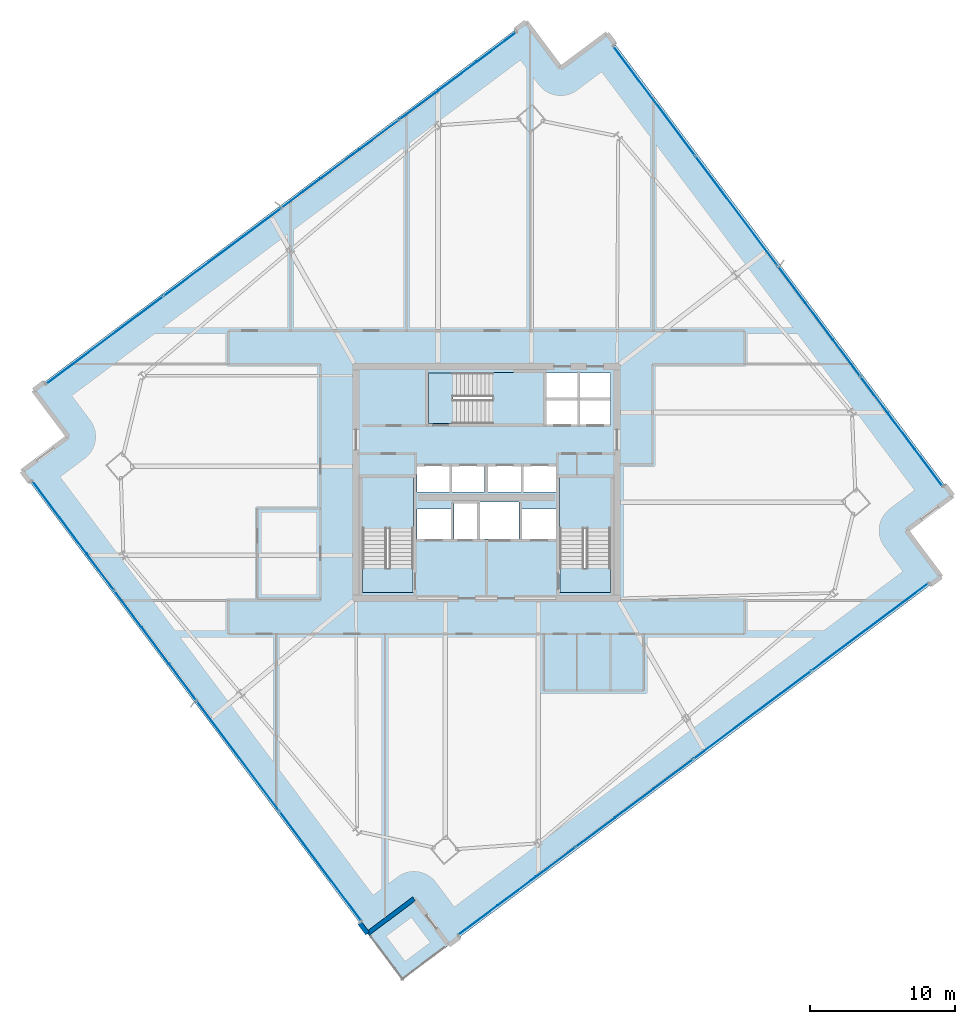
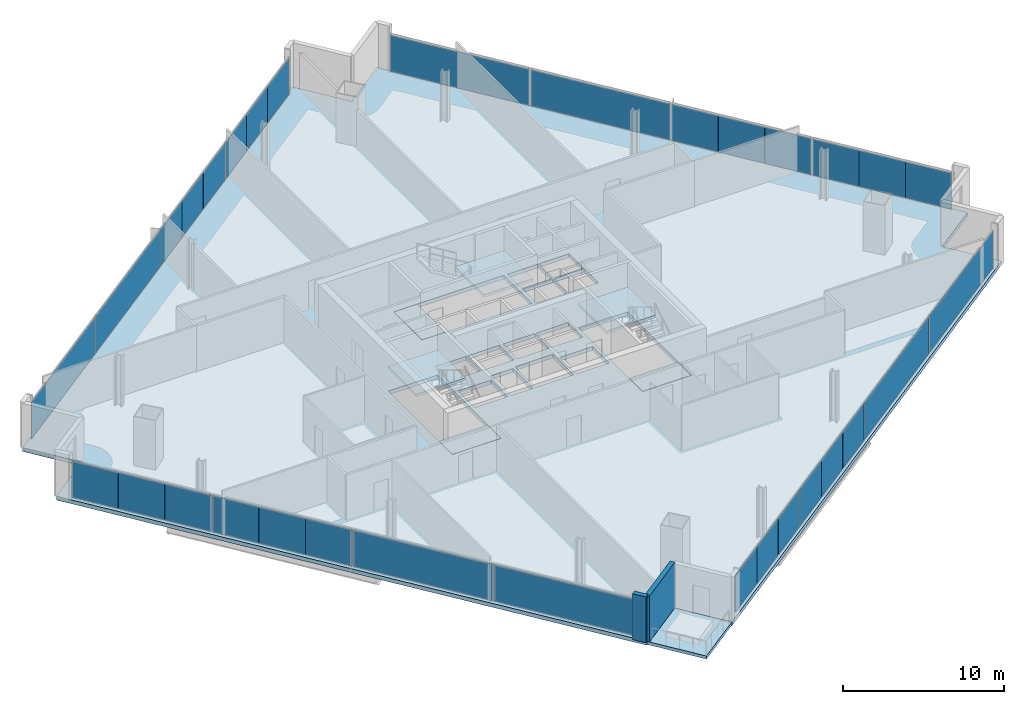
# One storey, part 23 of 32: 32 plates, 8 slabs, 2 walls, 7 elements without a shape of their own.
"""IFC4 building model written with IfcOpenShell, lengths in metres."""

from ifc_helpers import new_model, si_unit, direction, frame, frame_2d, origin, origin_2d, place, context, subcontext, project, spatial, polyline, rectangle, outline, extrude, source, transform, mapped, material, layer, layer_set, type_object, element, aggregate, save


model = new_model("IFC4")

# Units and contexts
model_context = context("Model", 3, precision=1e-05, world=origin(), true_north=direction((0.0, 1.0)))
body_context = subcontext(model_context, "Body", "Model", "MODEL_VIEW")
ifc_project = project(units=[si_unit("LENGTHUNIT", "METRE"), si_unit("AREAUNIT", "SQUARE_METRE"), si_unit("VOLUMEUNIT", "CUBIC_METRE"), si_unit("PLANEANGLEUNIT", "RADIAN"), si_unit("MASSUNIT", "GRAM", prefix="KILO")], contexts=[model_context])

# Site, building, storey
site_placement = place(None, origin())
site = spatial("IfcSite", under=ifc_project, at=site_placement, CompositionType="ELEMENT")
building_placement = place(site_placement, origin())
building = spatial("IfcBuilding", under=site, at=building_placement, Name="Haldenkirk Collegiate Tower", CompositionType="ELEMENT")
storey_placement = place(building_placement, frame((0.0, 0.0, 151.949951171875)))
storey = spatial("IfcBuildingStorey", under=building, at=storey_placement, Name="L37", CompositionType="ELEMENT", Elevation=151.949951171875)

# Slab
ifc_material_1 = material(Name="Concrete f'c 40 MPa", Category="concrete")
ifc_layer_1 = layer(ifc_material_1, 0.2900390625)
ifc_layer_set_1 = layer_set([ifc_layer_1], Name="Concrete f'c 40 MPa")
slab_type_1 = type_object("IfcSlabType", Name="SLB-FLR-290", PredefinedType="FLOOR", material=ifc_layer_set_1)
slab_1_placement = place(storey_placement, frame((0.0, 0.0, -0.2900390625)))
element("IfcSlab", 1, at=slab_1_placement, inside=storey, type_object=slab_type_1, Name="L37 composite structural floor slab", PredefinedType="FLOOR", context=body_context, shape_type="SweptSolid", body=[
    extrude(outline(polyline([(33.401123046875, -5.9169921875), (67.35205078125, 19.481689453125), (64.9560546875, 22.684814453125), (68.158935546875, 25.080810546875), (44.31787109375, 56.949951171875), (41.11474609375, 54.5537109375), (38.71875, 57.756591796875), (4.767578125, 32.358154296875), (7.163818359375, 29.1552734375), (3.9609375, 26.759033203125), (27.802001953125, -5.110107421875), (31.0048828125, -2.7138671875), (33.401123046875, -5.9169921875)]), holes=[polyline([(27.449951171875, 18.39990234375), (30.949951171875, 18.39990234375), (30.949951171875, 26.300048828125), (27.449951171875, 26.300048828125), (27.449951171875, 18.39990234375)]), polyline([(41.050048828125, 18.39990234375), (44.550048828125, 18.39990234375), (44.550048828125, 26.300048828125), (41.050048828125, 26.300048828125), (41.050048828125, 18.39990234375)]), polyline([(32.0, 30.050048828125), (39.89990234375, 30.050048828125), (39.89990234375, 33.550048828125), (32.0, 33.550048828125), (32.0, 30.050048828125)]), polyline([(33.75, 22.10009765625), (35.35009765625, 22.10009765625), (35.35009765625, 24.550048828125), (33.75, 24.550048828125), (33.75, 22.10009765625)]), polyline([(40.14990234375, 29.949951171875), (42.320068359375, 29.949951171875), (42.320068359375, 31.699951171875), (40.14990234375, 31.699951171875), (40.14990234375, 29.949951171875)]), polyline([(42.419921875, 29.949951171875), (44.550048828125, 29.949951171875), (44.550048828125, 31.699951171875), (42.419921875, 31.699951171875), (42.419921875, 29.949951171875)]), polyline([(40.14990234375, 31.800048828125), (42.320068359375, 31.800048828125), (42.320068359375, 33.550048828125), (40.14990234375, 33.550048828125), (40.14990234375, 31.800048828125)]), polyline([(42.419921875, 31.800048828125), (44.550048828125, 31.800048828125), (44.550048828125, 33.550048828125), (42.419921875, 33.550048828125), (42.419921875, 31.800048828125)]), polyline([(31.199951171875, 25.35009765625), (33.47998046875, 25.35009765625), (33.47998046875, 27.14990234375), (31.199951171875, 27.14990234375), (31.199951171875, 25.35009765625)]), polyline([(33.60009765625, 25.35009765625), (35.8798828125, 25.35009765625), (35.8798828125, 27.14990234375), (33.60009765625, 27.14990234375), (33.60009765625, 25.35009765625)]), polyline([(36.1201171875, 25.35009765625), (38.39990234375, 25.35009765625), (38.39990234375, 27.14990234375), (36.1201171875, 27.14990234375), (36.1201171875, 25.35009765625)]), polyline([(38.52001953125, 25.35009765625), (40.800048828125, 25.35009765625), (40.800048828125, 27.14990234375), (38.52001953125, 27.14990234375), (38.52001953125, 25.35009765625)]), polyline([(31.199951171875, 22.10009765625), (33.550048828125, 22.10009765625), (33.550048828125, 24.14990234375), (31.199951171875, 24.14990234375), (31.199951171875, 22.10009765625)]), polyline([(38.449951171875, 22.10009765625), (40.800048828125, 22.10009765625), (40.800048828125, 24.14990234375), (38.449951171875, 24.14990234375), (38.449951171875, 22.10009765625)]), polyline([(35.550048828125, 22.10009765625), (38.25, 22.10009765625), (38.25, 24.64990234375), (35.550048828125, 24.64990234375), (35.550048828125, 22.10009765625)])]), origin(), (0.0, 0.0, 1.0), 0.2900390625),
])

# Stair, slab
stair_type = type_object("IfcStairType", Name="STR-DOGLEG-1650", PredefinedType="HALF_TURN_STAIR", material=ifc_material_1)
stair_1_placement = place(storey_placement, origin())
stair_1 = element("IfcStair", 2, at=stair_1_placement, inside=storey, type_object=stair_type, Name="L37 Core Exit Stair ST-1", PredefinedType="HALF_TURN_STAIR")
ifc_layer_2 = layer(ifc_material_1, 0.199951171875)
ifc_layer_set_2 = layer_set([ifc_layer_2], Name="Concrete f'c 40 MPa")
slab_type_2 = type_object("IfcSlabType", Name="SLB-LANDING-200", PredefinedType="LANDING", material=ifc_layer_set_2)
slab_2_placement = place(storey_placement, frame((0.0, 0.0, 1.675048828125)))
slab_2 = element("IfcSlab", 3, at=slab_2_placement, type_object=slab_type_2, Name="ST-1 landing 1", PredefinedType="LANDING", context=body_context, shape_type="SweptSolid", body=[
    extrude(outline(polyline([(30.97509765625, 22.824951171875), (27.425048828125, 22.824951171875), (27.425048828125, 26.324951171875), (30.97509765625, 26.324951171875), (30.97509765625, 22.824951171875)])), origin(), (0.0, 0.0, 1.0), 0.199951171875),
])
aggregate(stair_1, [slab_2])

stair_2_placement = place(storey_placement, origin())
stair_2 = element("IfcStair", 4, at=stair_2_placement, inside=storey, type_object=stair_type, Name="L37 Core Exit Stair ST-2", PredefinedType="HALF_TURN_STAIR")
slab_3_placement = place(storey_placement, frame((0.0, 0.0, 1.675048828125)))
slab_3 = element("IfcSlab", 5, at=slab_3_placement, type_object=slab_type_2, Name="ST-2 landing 1", PredefinedType="LANDING", context=body_context, shape_type="SweptSolid", body=[
    extrude(outline(polyline([(44.574951171875, 22.824951171875), (41.02490234375, 22.824951171875), (41.02490234375, 26.324951171875), (44.574951171875, 26.324951171875), (44.574951171875, 22.824951171875)])), origin(), (0.0, 0.0, 1.0), 0.199951171875),
])
aggregate(stair_2, [slab_3])

stair_3_placement = place(storey_placement, origin())
stair_3 = element("IfcStair", 6, at=stair_3_placement, inside=storey, type_object=stair_type, Name="L37 Core Exit Stair ST-3", PredefinedType="HALF_TURN_STAIR")
slab_4_placement = place(storey_placement, frame((0.0, 0.0, 1.675048828125)))
slab_4 = element("IfcSlab", 7, at=slab_4_placement, type_object=slab_type_2, Name="ST-3 landing 1", PredefinedType="LANDING", context=body_context, shape_type="SweptSolid", body=[
    extrude(outline(polyline([(36.425048828125, 30.02490234375), (36.425048828125, 33.574951171875), (39.925048828125, 33.574951171875), (39.925048828125, 30.02490234375), (36.425048828125, 30.02490234375)])), origin(), (0.0, 0.0, 1.0), 0.199951171875),
])
aggregate(stair_3, [slab_4])

# Slabs
ifc_layer_3 = layer(ifc_material_1, 0.25)
ifc_layer_set_3 = layer_set([ifc_layer_3], Name="Concrete f'c 40 MPa")
slab_type_3 = type_object("IfcSlabType", Name="SLB-STAIRLAND-250", PredefinedType="LANDING", material=ifc_layer_set_3)
slab_5_placement = place(storey_placement, frame((0.0, 0.0, -0.25)))
element("IfcSlab", 8, at=slab_5_placement, inside=storey, type_object=slab_type_3, Name="L37 stair ST1 structural floor landing slab", PredefinedType="LANDING", context=body_context, shape_type="SweptSolid", body=[
    extrude(outline(polyline([(27.4599609375, 18.409912109375), (30.93994140625, 18.409912109375), (30.93994140625, 20.080078125), (27.4599609375, 20.080078125), (27.4599609375, 18.409912109375)])), origin(), (0.0, 0.0, 1.0), 0.25),
])
slab_6_placement = place(storey_placement, frame((0.0, 0.0, -0.25)))
element("IfcSlab", 9, at=slab_6_placement, inside=storey, type_object=slab_type_3, Name="L37 stair ST2 structural floor landing slab", PredefinedType="LANDING", context=body_context, shape_type="SweptSolid", body=[
    extrude(outline(polyline([(41.06005859375, 18.409912109375), (44.5400390625, 18.409912109375), (44.5400390625, 20.080078125), (41.06005859375, 20.080078125), (41.06005859375, 18.409912109375)])), origin(), (0.0, 0.0, 1.0), 0.25),
])
slab_7_placement = place(storey_placement, frame((0.0, 0.0, -0.25)))
element("IfcSlab", 10, at=slab_7_placement, inside=storey, type_object=slab_type_3, Name="L37 stair ST3 structural floor landing slab", PredefinedType="LANDING", context=body_context, shape_type="SweptSolid", body=[
    extrude(outline(polyline([(32.010009765625, 30.06005859375), (33.679931640625, 30.06005859375), (33.679931640625, 33.5400390625), (32.010009765625, 33.5400390625), (32.010009765625, 30.06005859375)])), origin(), (0.0, 0.0, 1.0), 0.25),
])
ifc_layer_4 = layer(ifc_material_1, 0.22998046875)
ifc_layer_set_4 = layer_set([ifc_layer_4], Name="Concrete f'c 40 MPa")
slab_type_4 = type_object("IfcSlabType", Name="SLB-TERR-SPIRAL-230", PredefinedType="FLOOR", material=ifc_layer_set_4)
slab_8_placement = place(storey_placement, frame((0.0, 0.0, -0.22998046875)))
element("IfcSlab", 11, at=slab_8_placement, inside=storey, type_object=slab_type_4, Name="L37 spiralling corner terrace slab", PredefinedType="FLOOR", context=body_context, shape_type="SweptSolid", body=[
    extrude(outline(polyline([(30.197998046875, -8.31298828125), (33.401123046875, -5.9169921875), (31.0048828125, -2.7138671875), (27.802001953125, -5.110107421875), (30.197998046875, -8.31298828125)])), origin(), (0.0, 0.0, 1.0), 0.22998046875),
])

# Curtain wall, plates
ifc_material_2 = material(Name="Anodised architectural bronze aluminium", Category="aluminium")
curtain_wall_type_1 = type_object("IfcCurtainWallType", Name="CW-SYS2-CONCAVE", PredefinedType="USERDEFINED", material=ifc_material_2)
curtain_wall_1_placement = place(storey_placement, origin())
curtain_wall_1 = element("IfcCurtainWall", 12, at=curtain_wall_1_placement, inside=storey, type_object=curtain_wall_type_1, Name="L37 South concave recessed bronze-anodised curtain wall", ObjectType="UNITISED CURTAIN WALL", PredefinedType="USERDEFINED")
ifc_material_3 = material(Name="Low-E argon triple insulating glass", Category="glass")
ifc_layer_5 = layer(ifc_material_3, 0.0419921875)
ifc_layer_set_5 = layer_set([ifc_layer_5], Name="Low-E argon triple insulating glass")
plate_type_1 = type_object("IfcPlateType", Name="CW-PNL-02", PredefinedType="CURTAIN_PANEL", material=ifc_layer_set_5)
shared_shape_1 = source(origin(), body_context, "Body", "SweptSolid", [
    extrude(rectangle(XDim=10.03759765625, YDim=0.0419921875, at=origin_2d()), origin(), (0.0, 0.0, 1.0), 2.760986328125),
])
plate_1_placement = place(storey_placement, frame((62.44482421875, 16.035400390625, 0.0751953125), z_axis=(0.0, 0.0, 1.0), x_axis=(-0.800730048136, -0.599025366751, 0.0)))
plate_1 = element("IfcPlate", 13, at=plate_1_placement, type_object=plate_type_1, Name="CW-02 panel 1.1", PredefinedType="CURTAIN_PANEL", context=body_context, shape_type="MappedRepresentation", body=[
    mapped(shared_shape_1, transform((0.0, 0.0, 0.0), x_axis=(1.0, 0.0, 0.0), y_axis=(0.0, 1.0, 0.0), z_axis=(0.0, 0.0, 1.0), scale=1.0)),
])
shared_shape_2 = source(origin(), body_context, "Body", "SweptSolid", [
    extrude(rectangle(XDim=10.074951171875, YDim=0.0419921875, at=origin_2d()), origin(), (0.0, 0.0, 1.0), 2.760986328125),
])
plate_2_placement = place(storey_placement, frame((54.33251953125, 9.966552734375, 0.0751953125), z_axis=(0.0, 0.0, 1.0), x_axis=(-0.800730048136, -0.599025366751, 0.0)))
plate_2 = element("IfcPlate", 14, at=plate_2_placement, type_object=plate_type_1, Name="CW-02 panel 2.1", PredefinedType="CURTAIN_PANEL", context=body_context, shape_type="MappedRepresentation", body=[
    mapped(shared_shape_2, transform((0.0, 0.0, 0.0), x_axis=(1.0, 0.0, 0.0), y_axis=(0.0, 1.0, 0.0), z_axis=(0.0, 0.0, 1.0), scale=1.0)),
])
ifc_material_4 = material(Name="Bronze-anodised insulated aluminium spandrel panel", Category="aluminium")
ifc_layer_6 = layer(ifc_material_4, 0.0419921875)
ifc_layer_set_6 = layer_set([ifc_layer_6], Name="Bronze-anodised insulated aluminium spandrel panel")
plate_type_2 = type_object("IfcPlateType", Name="CW-SPD-02", PredefinedType="CURTAIN_PANEL", material=ifc_layer_set_6)
shared_shape_3 = source(origin(), body_context, "Body", "SweptSolid", [
    extrude(rectangle(XDim=3.345703125, YDim=0.0419921875, at=origin_2d()), origin(), (0.0, 0.0, 1.0), 2.760986328125),
])
plate_3_placement = place(storey_placement, frame((48.899169921875, 5.90185546875, 0.0751953125), z_axis=(0.0, 0.0, 1.0), x_axis=(-0.800730048136, -0.599025366751, 0.0)))
plate_3 = element("IfcPlate", 15, at=plate_3_placement, type_object=plate_type_2, Name="CW-02 spandrel panel 3.1a", PredefinedType="CURTAIN_PANEL", context=body_context, shape_type="MappedRepresentation", body=[
    mapped(shared_shape_3, transform((0.0, 0.0, 0.0), x_axis=(1.0, 0.0, 0.0), y_axis=(0.0, 1.0, 0.0), z_axis=(0.0, 0.0, 1.0), scale=1.0)),
])
plate_4_placement = place(storey_placement, frame((43.510986328125, 1.87109375, 0.0751953125), z_axis=(0.0, 0.0, 1.0), x_axis=(-0.800730048136, -0.599025366751, 0.0)))
plate_4 = element("IfcPlate", 16, at=plate_4_placement, type_object=plate_type_2, Name="CW-02 spandrel panel 3.1c", PredefinedType="CURTAIN_PANEL", context=body_context, shape_type="MappedRepresentation", body=[
    mapped(shared_shape_3, transform((0.0, 0.0, 0.0), x_axis=(1.0, 0.0, 0.0), y_axis=(0.0, 1.0, 0.0), z_axis=(0.0, 0.0, 1.0), scale=1.0)),
])
shared_shape_4 = source(origin(), body_context, "Body", "SweptSolid", [
    extrude(rectangle(XDim=3.333251953125, YDim=0.0419921875, at=origin_2d()), origin(), (0.0, 0.0, 1.0), 2.760986328125),
])
plate_5_placement = place(storey_placement, frame((46.205078125, 3.886474609375, 0.0751953125), z_axis=(0.0, 0.0, 1.0), x_axis=(-0.800730048136, -0.599025366751, 0.0)))
plate_5 = element("IfcPlate", 17, at=plate_5_placement, type_object=plate_type_2, Name="CW-02 spandrel panel 3.1b", PredefinedType="CURTAIN_PANEL", context=body_context, shape_type="MappedRepresentation", body=[
    mapped(shared_shape_4, transform((0.0, 0.0, 0.0), x_axis=(1.0, 0.0, 0.0), y_axis=(0.0, 1.0, 0.0), z_axis=(0.0, 0.0, 1.0), scale=1.0)),
])
plate_6_placement = place(storey_placement, frame((40.77685546875, -0.17431640625, 0.0751953125), z_axis=(0.0, 0.0, 1.0), x_axis=(-0.800730048136, -0.599025366751, 0.0)))
plate_6 = element("IfcPlate", 18, at=plate_6_placement, type_object=plate_type_2, Name="CW-02 spandrel panel 4.1a", PredefinedType="CURTAIN_PANEL", context=body_context, shape_type="MappedRepresentation", body=[
    mapped(shared_shape_4, transform((0.0, 0.0, 0.0), x_axis=(1.0, 0.0, 0.0), y_axis=(0.0, 1.0, 0.0), z_axis=(0.0, 0.0, 1.0), scale=1.0)),
])
plate_7_placement = place(storey_placement, frame((35.40869140625, -4.1904296875, 0.0751953125), z_axis=(0.0, 0.0, 1.0), x_axis=(-0.800730048136, -0.599025366751, 0.0)))
plate_7 = element("IfcPlate", 19, at=plate_7_placement, type_object=plate_type_1, Name="CW-02 panel 4.1c", PredefinedType="CURTAIN_PANEL", context=body_context, shape_type="MappedRepresentation", body=[
    mapped(shared_shape_4, transform((0.0, 0.0, 0.0), x_axis=(1.0, 0.0, 0.0), y_axis=(0.0, 1.0, 0.0), z_axis=(0.0, 0.0, 1.0), scale=1.0)),
])

# Curtain wall, plate
curtain_wall_type_2 = type_object("IfcCurtainWallType", Name="CW-SYS1-CONVEX-LOW", PredefinedType="USERDEFINED", material=ifc_material_2)
curtain_wall_2_placement = place(storey_placement, origin())
curtain_wall_2 = element("IfcCurtainWall", 20, at=curtain_wall_2_placement, inside=storey, type_object=curtain_wall_type_2, Name="L37 Lower tower convex bronze-framed unitised curtain wall", ObjectType="UNITISED CURTAIN WALL", PredefinedType="USERDEFINED")
ifc_layer_7 = layer(ifc_material_3, 0.0439453125)
ifc_layer_set_7 = layer_set([ifc_layer_7], Name="Low-E argon triple insulating glass")
plate_type_3 = type_object("IfcPlateType", Name="CW-PNL-1A", PredefinedType="CURTAIN_PANEL", material=ifc_layer_set_7)
shared_shape_5 = source(origin(), body_context, "Body", "SweptSolid", [
    extrude(rectangle(XDim=9.3798828125, YDim=0.0439453125, at=origin_2d()), origin(), (0.0, 0.0, 1.0), 2.7509765625),
])
plate_8_placement = place(storey_placement, frame((47.570068359375, 52.302001953125, 0.080078125), z_axis=(0.0, 0.0, 1.0), x_axis=(0.599024815954, -0.800730460187, 0.0)))
plate_8 = element("IfcPlate", 21, at=plate_8_placement, type_object=plate_type_3, Name="CW-1A panel 1.1", PredefinedType="CURTAIN_PANEL", context=body_context, shape_type="MappedRepresentation", body=[
    mapped(shared_shape_5, transform((0.0, 0.0, 0.0), x_axis=(1.0, 0.0, 0.0), y_axis=(0.0, 1.0, 0.0), z_axis=(0.0, 0.0, 1.0), scale=1.0)),
])

curtain_wall_3_placement = place(storey_placement, origin())
curtain_wall_3 = element("IfcCurtainWall", 22, at=curtain_wall_3_placement, inside=storey, type_object=curtain_wall_type_2, Name="L37 Lower tower convex bronze-framed unitised curtain wall", ObjectType="UNITISED CURTAIN WALL", PredefinedType="USERDEFINED")
plate_9_placement = place(storey_placement, frame((24.549560546875, -0.4619140625, 0.080078125), z_axis=(0.0, 0.0, 1.0), x_axis=(-0.599024815954, 0.800730460187, 0.0)))
plate_9 = element("IfcPlate", 23, at=plate_9_placement, type_object=plate_type_3, Name="CW-1A panel 1.1", PredefinedType="CURTAIN_PANEL", context=body_context, shape_type="MappedRepresentation", body=[
    mapped(shared_shape_5, transform((0.0, 0.0, 0.0), x_axis=(1.0, 0.0, 0.0), y_axis=(0.0, 1.0, 0.0), z_axis=(0.0, 0.0, 1.0), scale=1.0)),
])

# Plate
ifc_layer_8 = layer(ifc_material_4, 0.0439453125)
ifc_layer_set_8 = layer_set([ifc_layer_8], Name="Bronze-anodised insulated aluminium spandrel panel")
plate_type_4 = type_object("IfcPlateType", Name="CW-SPD-1A", PredefinedType="CURTAIN_PANEL", material=ifc_layer_set_8)
shared_shape_6 = source(origin(), body_context, "Body", "SweptSolid", [
    extrude(rectangle(XDim=3.12744140625, YDim=0.0439453125, at=origin_2d()), origin(), (0.0, 0.0, 1.0), 2.7509765625),
])
plate_10_placement = place(storey_placement, frame((57.054931640625, 39.623291015625, 0.080078125), z_axis=(0.0, 0.0, 1.0), x_axis=(0.599024815954, -0.800730460187, 0.0)))
plate_10 = element("IfcPlate", 24, at=plate_10_placement, type_object=plate_type_4, Name="CW-1A spandrel panel 3.1a", PredefinedType="CURTAIN_PANEL", context=body_context, shape_type="MappedRepresentation", body=[
    mapped(shared_shape_6, transform((0.0, 0.0, 0.0), x_axis=(1.0, 0.0, 0.0), y_axis=(0.0, 1.0, 0.0), z_axis=(0.0, 0.0, 1.0), scale=1.0)),
])

plate_11_placement = place(storey_placement, frame((60.82421875, 34.584716796875, 0.080078125), z_axis=(0.0, 0.0, 1.0), x_axis=(0.599024815954, -0.800730460187, 0.0)))
plate_11 = element("IfcPlate", 25, at=plate_11_placement, type_object=plate_type_4, Name="CW-1A spandrel panel 3.1c", PredefinedType="CURTAIN_PANEL", context=body_context, shape_type="MappedRepresentation", body=[
    mapped(shared_shape_6, transform((0.0, 0.0, 0.0), x_axis=(1.0, 0.0, 0.0), y_axis=(0.0, 1.0, 0.0), z_axis=(0.0, 0.0, 1.0), scale=1.0)),
])

plate_12_placement = place(storey_placement, frame((15.06494140625, 12.216552734375, 0.080078125), z_axis=(0.0, 0.0, 1.0), x_axis=(-0.599024815954, 0.800730460187, 0.0)))
plate_12 = element("IfcPlate", 26, at=plate_12_placement, type_object=plate_type_4, Name="CW-1A spandrel panel 3.1a", PredefinedType="CURTAIN_PANEL", context=body_context, shape_type="MappedRepresentation", body=[
    mapped(shared_shape_6, transform((0.0, 0.0, 0.0), x_axis=(1.0, 0.0, 0.0), y_axis=(0.0, 1.0, 0.0), z_axis=(0.0, 0.0, 1.0), scale=1.0)),
])

plate_13_placement = place(storey_placement, frame((11.29541015625, 17.255126953125, 0.080078125), z_axis=(0.0, 0.0, 1.0), x_axis=(-0.599024815954, 0.800730460187, 0.0)))
plate_13 = element("IfcPlate", 27, at=plate_13_placement, type_object=plate_type_4, Name="CW-1A spandrel panel 3.1c", PredefinedType="CURTAIN_PANEL", context=body_context, shape_type="MappedRepresentation", body=[
    mapped(shared_shape_6, transform((0.0, 0.0, 0.0), x_axis=(1.0, 0.0, 0.0), y_axis=(0.0, 1.0, 0.0), z_axis=(0.0, 0.0, 1.0), scale=1.0)),
])

shared_shape_7 = source(origin(), body_context, "Body", "SweptSolid", [
    extrude(rectangle(XDim=3.114990234375, YDim=0.0439453125, at=origin_2d()), origin(), (0.0, 0.0, 1.0), 2.7509765625),
])
plate_14_placement = place(storey_placement, frame((58.939697265625, 37.10400390625, 0.080078125), z_axis=(0.0, 0.0, 1.0), x_axis=(0.599024815954, -0.800730460187, 0.0)))
plate_14 = element("IfcPlate", 28, at=plate_14_placement, type_object=plate_type_4, Name="CW-1A spandrel panel 3.1b", PredefinedType="CURTAIN_PANEL", context=body_context, shape_type="MappedRepresentation", body=[
    mapped(shared_shape_7, transform((0.0, 0.0, 0.0), x_axis=(1.0, 0.0, 0.0), y_axis=(0.0, 1.0, 0.0), z_axis=(0.0, 0.0, 1.0), scale=1.0)),
])

plate_15_placement = place(storey_placement, frame((13.18017578125, 14.73583984375, 0.080078125), z_axis=(0.0, 0.0, 1.0), x_axis=(-0.599024815954, 0.800730460187, 0.0)))
plate_15 = element("IfcPlate", 29, at=plate_15_placement, type_object=plate_type_4, Name="CW-1A spandrel panel 3.1b", PredefinedType="CURTAIN_PANEL", context=body_context, shape_type="MappedRepresentation", body=[
    mapped(shared_shape_7, transform((0.0, 0.0, 0.0), x_axis=(1.0, 0.0, 0.0), y_axis=(0.0, 1.0, 0.0), z_axis=(0.0, 0.0, 1.0), scale=1.0)),
])

# Curtain wall, plates
curtain_wall_4_placement = place(storey_placement, origin())
curtain_wall_4 = element("IfcCurtainWall", 30, at=curtain_wall_4_placement, inside=storey, type_object=curtain_wall_type_2, Name="L37 Lower tower convex bronze-framed unitised curtain wall", ObjectType="UNITISED CURTAIN WALL", PredefinedType="USERDEFINED")
shared_shape_8 = source(origin(), body_context, "Body", "SweptSolid", [
    extrude(rectangle(XDim=10.030029296875, YDim=0.0439453125, at=origin_2d()), origin(), (0.0, 0.0, 1.0), 2.7509765625),
])
plate_16_placement = place(storey_placement, frame((9.676025390625, 35.80517578125, 0.080078125), z_axis=(0.0, 0.0, 1.0), x_axis=(0.800730048136, 0.599025366751, 0.0)))
plate_16 = element("IfcPlate", 31, at=plate_16_placement, type_object=plate_type_3, Name="CW-1A panel 1.1", PredefinedType="CURTAIN_PANEL", context=body_context, shape_type="MappedRepresentation", body=[
    mapped(shared_shape_8, transform((0.0, 0.0, 0.0), x_axis=(1.0, 0.0, 0.0), y_axis=(0.0, 1.0, 0.0), z_axis=(0.0, 0.0, 1.0), scale=1.0)),
])
shared_shape_9 = source(origin(), body_context, "Body", "SweptSolid", [
    extrude(rectangle(XDim=10.070068359375, YDim=0.0439453125, at=origin_2d()), origin(), (0.0, 0.0, 1.0), 2.7509765625),
])
plate_17_placement = place(storey_placement, frame((17.787353515625, 41.873291015625, 0.080078125), z_axis=(0.0, 0.0, 1.0), x_axis=(0.800730048136, 0.599025366751, 0.0)))
plate_17 = element("IfcPlate", 32, at=plate_17_placement, type_object=plate_type_3, Name="CW-1A panel 2.1", PredefinedType="CURTAIN_PANEL", context=body_context, shape_type="MappedRepresentation", body=[
    mapped(shared_shape_9, transform((0.0, 0.0, 0.0), x_axis=(1.0, 0.0, 0.0), y_axis=(0.0, 1.0, 0.0), z_axis=(0.0, 0.0, 1.0), scale=1.0)),
])
shared_shape_10 = source(origin(), body_context, "Body", "SweptSolid", [
    extrude(rectangle(XDim=3.34423828125, YDim=0.0439453125, at=origin_2d()), origin(), (0.0, 0.0, 1.0), 2.7509765625),
])
plate_18_placement = place(storey_placement, frame((23.221923828125, 45.93896484375, 0.080078125), z_axis=(0.0, 0.0, 1.0), x_axis=(0.800730048136, 0.599025366751, 0.0)))
plate_18 = element("IfcPlate", 33, at=plate_18_placement, type_object=plate_type_4, Name="CW-1A spandrel panel 3.1a", PredefinedType="CURTAIN_PANEL", context=body_context, shape_type="MappedRepresentation", body=[
    mapped(shared_shape_10, transform((0.0, 0.0, 0.0), x_axis=(1.0, 0.0, 0.0), y_axis=(0.0, 1.0, 0.0), z_axis=(0.0, 0.0, 1.0), scale=1.0)),
])
plate_19_placement = place(storey_placement, frame((28.607421875, 49.9677734375, 0.080078125), z_axis=(0.0, 0.0, 1.0), x_axis=(0.800730048136, 0.599025366751, 0.0)))
plate_19 = element("IfcPlate", 34, at=plate_19_placement, type_object=plate_type_4, Name="CW-1A spandrel panel 3.1c", PredefinedType="CURTAIN_PANEL", context=body_context, shape_type="MappedRepresentation", body=[
    mapped(shared_shape_10, transform((0.0, 0.0, 0.0), x_axis=(1.0, 0.0, 0.0), y_axis=(0.0, 1.0, 0.0), z_axis=(0.0, 0.0, 1.0), scale=1.0)),
])
shared_shape_11 = source(origin(), body_context, "Body", "SweptSolid", [
    extrude(rectangle(XDim=3.331787109375, YDim=0.0439453125, at=origin_2d()), origin(), (0.0, 0.0, 1.0), 2.7509765625),
])
plate_20_placement = place(storey_placement, frame((25.914794921875, 47.953369140625, 0.080078125), z_axis=(0.0, 0.0, 1.0), x_axis=(0.800730048136, 0.599025366751, 0.0)))
plate_20 = element("IfcPlate", 35, at=plate_20_placement, type_object=plate_type_4, Name="CW-1A spandrel panel 3.1b", PredefinedType="CURTAIN_PANEL", context=body_context, shape_type="MappedRepresentation", body=[
    mapped(shared_shape_11, transform((0.0, 0.0, 0.0), x_axis=(1.0, 0.0, 0.0), y_axis=(0.0, 1.0, 0.0), z_axis=(0.0, 0.0, 1.0), scale=1.0)),
])

# Plate
shared_shape_12 = source(origin(), body_context, "Body", "SweptSolid", [
    extrude(rectangle(XDim=9.419921875, YDim=0.0439453125, at=origin_2d()), origin(), (0.0, 0.0, 1.0), 2.7509765625),
])
plate_21_placement = place(storey_placement, frame((53.248779296875, 44.7109375, 0.080078125), z_axis=(0.0, 0.0, 1.0), x_axis=(0.599024815954, -0.800730460187, 0.0)))
plate_21 = element("IfcPlate", 36, at=plate_21_placement, type_object=plate_type_3, Name="CW-1A panel 2.1", PredefinedType="CURTAIN_PANEL", context=body_context, shape_type="MappedRepresentation", body=[
    mapped(shared_shape_12, transform((0.0, 0.0, 0.0), x_axis=(1.0, 0.0, 0.0), y_axis=(0.0, 1.0, 0.0), z_axis=(0.0, 0.0, 1.0), scale=1.0)),
])

plate_22_placement = place(storey_placement, frame((18.870849609375, 7.12890625, 0.080078125), z_axis=(0.0, 0.0, 1.0), x_axis=(-0.599024815954, 0.800730460187, 0.0)))
plate_22 = element("IfcPlate", 37, at=plate_22_placement, type_object=plate_type_3, Name="CW-1A panel 2.1", PredefinedType="CURTAIN_PANEL", context=body_context, shape_type="MappedRepresentation", body=[
    mapped(shared_shape_12, transform((0.0, 0.0, 0.0), x_axis=(1.0, 0.0, 0.0), y_axis=(0.0, 1.0, 0.0), z_axis=(0.0, 0.0, 1.0), scale=1.0)),
])

shared_shape_13 = source(origin(), body_context, "Body", "SweptSolid", [
    extrude(rectangle(XDim=3.32080078125, YDim=0.0419921875, at=origin_2d()), origin(), (0.0, 0.0, 1.0), 2.760986328125),
])
plate_23_placement = place(storey_placement, frame((38.0927734375, -2.182373046875, 0.0751953125), z_axis=(0.0, 0.0, 1.0), x_axis=(-0.800730048136, -0.599025366751, 0.0)))
plate_23 = element("IfcPlate", 38, at=plate_23_placement, type_object=plate_type_1, Name="CW-02 panel 4.1b", PredefinedType="CURTAIN_PANEL", context=body_context, shape_type="MappedRepresentation", body=[
    mapped(shared_shape_13, transform((0.0, 0.0, 0.0), x_axis=(1.0, 0.0, 0.0), y_axis=(0.0, 1.0, 0.0), z_axis=(0.0, 0.0, 1.0), scale=1.0)),
])

aggregate(curtain_wall_1, [plate_1, plate_2, plate_3, plate_5, plate_4, plate_6, plate_23, plate_7])

shared_shape_14 = source(origin(), body_context, "Body", "SweptSolid", [
    extrude(rectangle(XDim=3.1142578125, YDim=0.0439453125, at=origin_2d()), origin(), (0.0, 0.0, 1.0), 2.7509765625),
])
plate_24_placement = place(storey_placement, frame((62.74169921875, 32.021728515625, 0.080078125), z_axis=(0.0, 0.0, 1.0), x_axis=(0.599024815954, -0.800730460187, 0.0)))
plate_24 = element("IfcPlate", 39, at=plate_24_placement, type_object=plate_type_4, Name="CW-1A spandrel panel 4.1a", PredefinedType="CURTAIN_PANEL", context=body_context, shape_type="MappedRepresentation", body=[
    mapped(shared_shape_14, transform((0.0, 0.0, 0.0), x_axis=(1.0, 0.0, 0.0), y_axis=(0.0, 1.0, 0.0), z_axis=(0.0, 0.0, 1.0), scale=1.0)),
])

plate_25_placement = place(storey_placement, frame((66.4951171875, 27.004638671875, 0.080078125), z_axis=(0.0, 0.0, 1.0), x_axis=(0.599024815954, -0.800730460187, 0.0)))
plate_25 = element("IfcPlate", 40, at=plate_25_placement, type_object=plate_type_3, Name="CW-1A panel 4.1c", PredefinedType="CURTAIN_PANEL", context=body_context, shape_type="MappedRepresentation", body=[
    mapped(shared_shape_14, transform((0.0, 0.0, 0.0), x_axis=(1.0, 0.0, 0.0), y_axis=(0.0, 1.0, 0.0), z_axis=(0.0, 0.0, 1.0), scale=1.0)),
])

plate_26_placement = place(storey_placement, frame((9.378173828125, 19.818115234375, 0.080078125), z_axis=(0.0, 0.0, 1.0), x_axis=(-0.599024815954, 0.800730460187, 0.0)))
plate_26 = element("IfcPlate", 41, at=plate_26_placement, type_object=plate_type_4, Name="CW-1A spandrel panel 4.1a", PredefinedType="CURTAIN_PANEL", context=body_context, shape_type="MappedRepresentation", body=[
    mapped(shared_shape_14, transform((0.0, 0.0, 0.0), x_axis=(1.0, 0.0, 0.0), y_axis=(0.0, 1.0, 0.0), z_axis=(0.0, 0.0, 1.0), scale=1.0)),
])

plate_27_placement = place(storey_placement, frame((5.624755859375, 24.835205078125, 0.080078125), z_axis=(0.0, 0.0, 1.0), x_axis=(-0.599024815954, 0.800730460187, 0.0)))
plate_27 = element("IfcPlate", 42, at=plate_27_placement, type_object=plate_type_3, Name="CW-1A panel 4.1c", PredefinedType="CURTAIN_PANEL", context=body_context, shape_type="MappedRepresentation", body=[
    mapped(shared_shape_14, transform((0.0, 0.0, 0.0), x_axis=(1.0, 0.0, 0.0), y_axis=(0.0, 1.0, 0.0), z_axis=(0.0, 0.0, 1.0), scale=1.0)),
])

shared_shape_15 = source(origin(), body_context, "Body", "SweptSolid", [
    extrude(rectangle(XDim=3.101806640625, YDim=0.0439453125, at=origin_2d()), origin(), (0.0, 0.0, 1.0), 2.7509765625),
])
plate_28_placement = place(storey_placement, frame((64.618408203125, 29.51318359375, 0.080078125), z_axis=(0.0, 0.0, 1.0), x_axis=(0.599024815954, -0.800730460187, 0.0)))
plate_28 = element("IfcPlate", 43, at=plate_28_placement, type_object=plate_type_3, Name="CW-1A panel 4.1b", PredefinedType="CURTAIN_PANEL", context=body_context, shape_type="MappedRepresentation", body=[
    mapped(shared_shape_15, transform((0.0, 0.0, 0.0), x_axis=(1.0, 0.0, 0.0), y_axis=(0.0, 1.0, 0.0), z_axis=(0.0, 0.0, 1.0), scale=1.0)),
])

aggregate(curtain_wall_2, [plate_8, plate_21, plate_10, plate_14, plate_11, plate_24, plate_28, plate_25])

plate_29_placement = place(storey_placement, frame((7.50146484375, 22.32666015625, 0.080078125), z_axis=(0.0, 0.0, 1.0), x_axis=(-0.599024815954, 0.800730460187, 0.0)))
plate_29 = element("IfcPlate", 44, at=plate_29_placement, type_object=plate_type_3, Name="CW-1A panel 4.1b", PredefinedType="CURTAIN_PANEL", context=body_context, shape_type="MappedRepresentation", body=[
    mapped(shared_shape_15, transform((0.0, 0.0, 0.0), x_axis=(1.0, 0.0, 0.0), y_axis=(0.0, 1.0, 0.0), z_axis=(0.0, 0.0, 1.0), scale=1.0)),
])

aggregate(curtain_wall_3, [plate_9, plate_22, plate_12, plate_15, plate_13, plate_26, plate_29, plate_27])

shared_shape_16 = source(origin(), body_context, "Body", "SweptSolid", [
    extrude(rectangle(XDim=3.330810546875, YDim=0.0439453125, at=origin_2d()), origin(), (0.0, 0.0, 1.0), 2.7509765625),
])
plate_30_placement = place(storey_placement, frame((31.343994140625, 52.014892578125, 0.080078125), z_axis=(0.0, 0.0, 1.0), x_axis=(0.800730048136, 0.599025366751, 0.0)))
plate_30 = element("IfcPlate", 45, at=plate_30_placement, type_object=plate_type_4, Name="CW-1A spandrel panel 4.1a", PredefinedType="CURTAIN_PANEL", context=body_context, shape_type="MappedRepresentation", body=[
    mapped(shared_shape_16, transform((0.0, 0.0, 0.0), x_axis=(1.0, 0.0, 0.0), y_axis=(0.0, 1.0, 0.0), z_axis=(0.0, 0.0, 1.0), scale=1.0)),
])

plate_31_placement = place(storey_placement, frame((36.708251953125, 56.028076171875, 0.080078125), z_axis=(0.0, 0.0, 1.0), x_axis=(0.800730048136, 0.599025366751, 0.0)))
plate_31 = element("IfcPlate", 46, at=plate_31_placement, type_object=plate_type_3, Name="CW-1A panel 4.1c", PredefinedType="CURTAIN_PANEL", context=body_context, shape_type="MappedRepresentation", body=[
    mapped(shared_shape_16, transform((0.0, 0.0, 0.0), x_axis=(1.0, 0.0, 0.0), y_axis=(0.0, 1.0, 0.0), z_axis=(0.0, 0.0, 1.0), scale=1.0)),
])

shared_shape_17 = source(origin(), body_context, "Body", "SweptSolid", [
    extrude(rectangle(XDim=3.318359375, YDim=0.0439453125, at=origin_2d()), origin(), (0.0, 0.0, 1.0), 2.7509765625),
])
plate_32_placement = place(storey_placement, frame((34.026123046875, 54.021484375, 0.080078125), z_axis=(0.0, 0.0, 1.0), x_axis=(0.800730048136, 0.599025366751, 0.0)))
plate_32 = element("IfcPlate", 47, at=plate_32_placement, type_object=plate_type_3, Name="CW-1A panel 4.1b", PredefinedType="CURTAIN_PANEL", context=body_context, shape_type="MappedRepresentation", body=[
    mapped(shared_shape_17, transform((0.0, 0.0, 0.0), x_axis=(1.0, 0.0, 0.0), y_axis=(0.0, 1.0, 0.0), z_axis=(0.0, 0.0, 1.0), scale=1.0)),
])

aggregate(curtain_wall_4, [plate_16, plate_17, plate_18, plate_20, plate_19, plate_30, plate_32, plate_31])

# Walls
ifc_material_5 = material(Name="Precast concrete f'c 40 MPa", Category="concrete")
ifc_layer_9 = layer(ifc_material_5, 0.320068359375)
ifc_layer_set_9 = layer_set([ifc_layer_9], Name="Precast concrete f'c 40 MPa")
wall_type = type_object("IfcWallType", Name="WL-EXT-TWR-320", PredefinedType="STANDARD", material=ifc_layer_set_9)
wall_1_placement = place(storey_placement, frame((27.802001953125, -5.110107421875, 0.0), z_axis=(0.0, 0.0, 1.0), x_axis=(-0.598957825591, 0.80078057117, 0.0)))
element("IfcWall", 48, at=wall_1_placement, inside=storey, type_object=wall_type, Name="L37 precast corner pier WL", PredefinedType="STANDARD", context=body_context, shape_type="SweptSolid", body=[
    extrude(rectangle(XDim=0.89990234375, YDim=0.320068359375, at=frame_2d((0.449951171875, 0.0))), origin(), (0.0, 0.0, 1.0), 3.4599609375),
])
wall_2_placement = place(storey_placement, frame((31.0048828125, -2.7138671875, 0.0), z_axis=(0.0, 0.0, 1.0), x_axis=(-0.800709879243, -0.599052325998, 0.0)))
element("IfcWall", 49, at=wall_2_placement, inside=storey, type_object=wall_type, Name="L37 bronze precast notch wall 11", PredefinedType="STANDARD", context=body_context, shape_type="SweptSolid", body=[
    extrude(rectangle(XDim=4.0, YDim=0.320068359375, at=frame_2d((2.0, 0.0))), origin(), (0.0, 0.0, 1.0), 3.4599609375),
])

save(model, "model.ifc")
